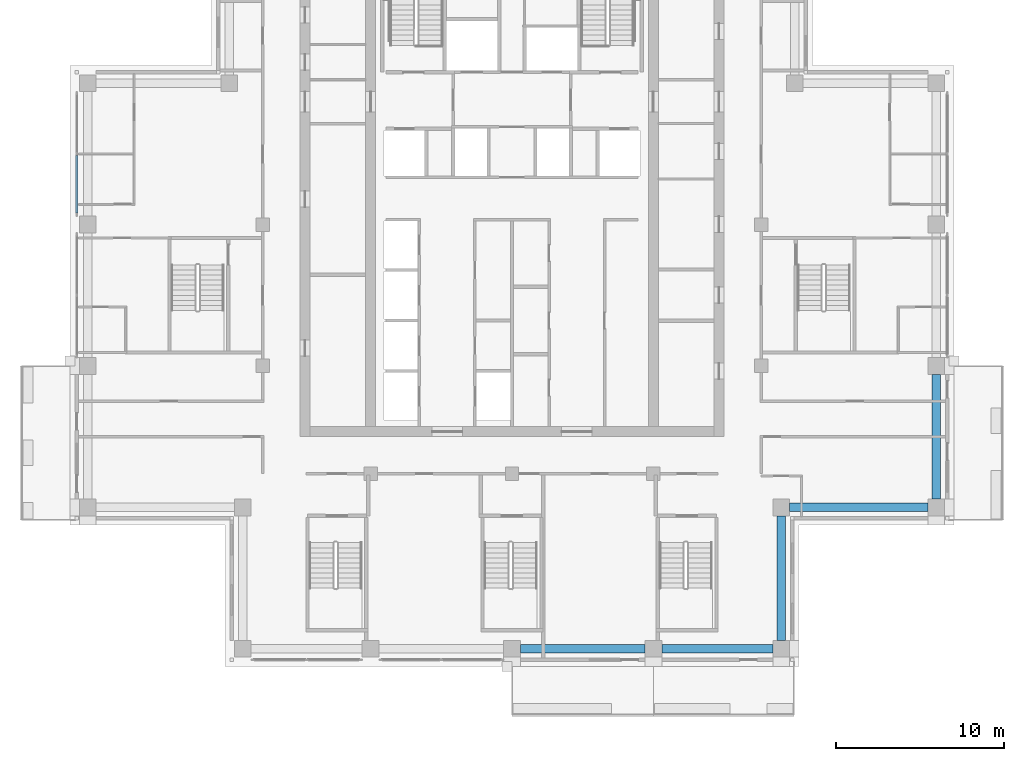
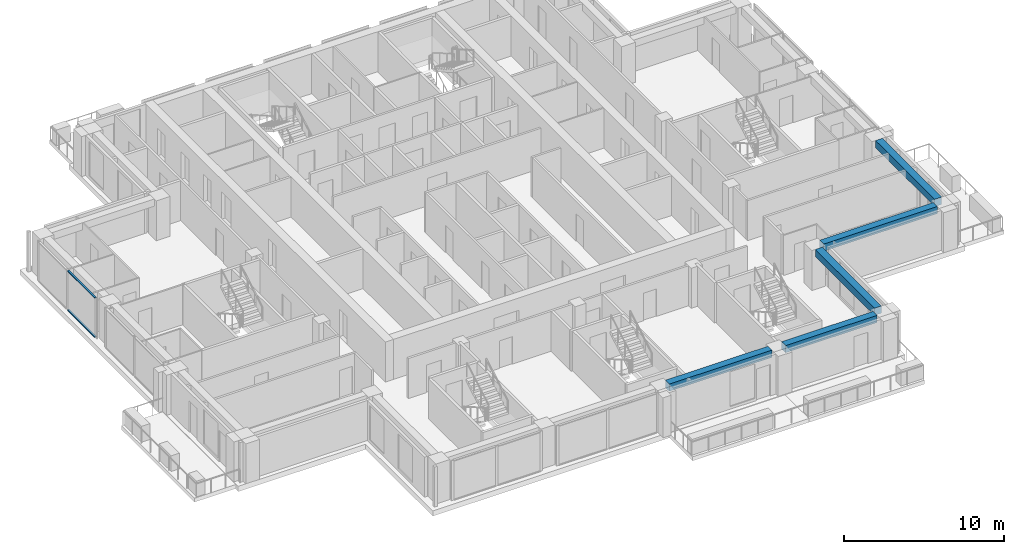
# One storey, part 3 of 17: 5 beams, 2 members, 1 element without a shape of its own.
"""IFC4 building model written with IfcOpenShell, lengths in metres."""

from ifc_helpers import new_model, si_unit, direction, frame, origin, origin_2d, place, context, subcontext, project, spatial, rectangle, extrude, material, material_profile, profile_set, type_object, element, aggregate, save


model = new_model("IFC4")

# Units and contexts
model_context = context("Model", 3, precision=1e-05, world=origin(), true_north=direction((0.0, 1.0)))
body_context = subcontext(model_context, "Body", "Model", "MODEL_VIEW")
ifc_project = project(units=[si_unit("LENGTHUNIT", "METRE"), si_unit("AREAUNIT", "SQUARE_METRE"), si_unit("VOLUMEUNIT", "CUBIC_METRE"), si_unit("PLANEANGLEUNIT", "RADIAN"), si_unit("MASSUNIT", "GRAM", prefix="KILO")], contexts=[model_context])

# Site, building, storey
site_placement = place(None, origin())
site = spatial("IfcSite", under=ifc_project, at=site_placement, CompositionType="ELEMENT")
building_placement = place(site_placement, origin())
building = spatial("IfcBuilding", under=site, at=building_placement, Name="Vermilion Ogive Tower", CompositionType="ELEMENT")
storey_placement = place(building_placement, frame((0.0, 0.0, 189.35009765625)))
storey = spatial("IfcBuildingStorey", under=building, at=storey_placement, Name="L49", CompositionType="ELEMENT", Elevation=189.35009765625)

# Curtain wall, members
ifc_material_1 = material(Name="Low-iron laminated glazing in aluminium frame", Category="aluminium")
curtain_wall_type = type_object("IfcCurtainWallType", Name="Curtain wall CW7", PredefinedType="NOTDEFINED", material=ifc_material_1)
curtain_wall_placement = place(storey_placement, origin())
curtain_wall = element("IfcCurtainWall", 1, at=curtain_wall_placement, inside=storey, type_object=curtain_wall_type, Name="Glazed skin W1", PredefinedType="NOTDEFINED")
ifc_material_2 = material(Name="Aluminium transom", Category="aluminium")
ifc_material_profile_1 = material_profile(ifc_material_2, rectangle(XDim=0.139892578125, YDim=0.06005859375, at=origin_2d()), Name="AL 60x140")
ifc_profile_set_1 = profile_set([ifc_material_profile_1], Name="Aluminium transom")
member_type = type_object("IfcMemberType", Name="CW7 transom 60x140", PredefinedType="USERDEFINED", material=ifc_profile_set_1)
member_1_placement = place(storey_placement, frame((-25.85009765625, 8.31005859375, 0.02978515625), z_axis=(0.0, -1.0, 0.0), x_axis=(1.0, 0.0, 0.0)))
member_1 = element("IfcMember", 2, at=member_1_placement, type_object=member_type, Name="CW7-W1 transom 2.1", ObjectType="TRANSOM", PredefinedType="USERDEFINED", context=body_context, shape_type="SweptSolid", body=[
    extrude(rectangle(XDim=0.139892578125, YDim=0.06005859375, at=origin_2d()), origin(), (0.0, 0.0, 1.0), 3.43017578125),
])
member_2_placement = place(storey_placement, frame((-25.85009765625, 8.31005859375, 3.02001953125), z_axis=(0.0, -1.0, 0.0), x_axis=(1.0, 0.0, 0.0)))
member_2 = element("IfcMember", 3, at=member_2_placement, type_object=member_type, Name="CW7-W1 transom 2.2", ObjectType="TRANSOM", PredefinedType="USERDEFINED", context=body_context, shape_type="SweptSolid", body=[
    extrude(rectangle(XDim=0.139892578125, YDim=0.06005859375, at=origin_2d()), origin(), (0.0, 0.0, 1.0), 3.43017578125),
])
aggregate(curtain_wall, [member_1, member_2])

# Beams
ifc_material_3 = material(Name="Concrete B45", Category="concrete")
ifc_material_profile_2 = material_profile(ifc_material_3, rectangle(XDim=0.5, YDim=0.550048828125, at=origin_2d()), Name="500 x 550")
ifc_profile_set_2 = profile_set([ifc_material_profile_2], Name="Concrete B45")
beam_type = type_object("IfcBeamType", Name="Edge beam 500 x 550 B45", PredefinedType="BEAM", material=ifc_profile_set_2)
beam_1_placement = place(storey_placement, frame((0.5, -21.0, 2.77490234375), z_axis=(1.0, 0.0, 0.0), x_axis=(0.0, 1.0, 0.0)))
element("IfcBeam", 4, at=beam_1_placement, inside=storey, type_object=beam_type, Name="L49-EB-3", PredefinedType="BEAM", context=body_context, shape_type="SweptSolid", body=[
    extrude(rectangle(XDim=0.5, YDim=0.550048828125, at=origin_2d()), origin(), (0.0, 0.0, 1.0), 7.39990234375),
])
beam_2_placement = place(storey_placement, frame((8.89990234375, -21.0, 2.77490234375), z_axis=(1.0, 0.0, 0.0), x_axis=(0.0, 1.0, 0.0)))
element("IfcBeam", 5, at=beam_2_placement, inside=storey, type_object=beam_type, Name="L49-EB-4", PredefinedType="BEAM", context=body_context, shape_type="SweptSolid", body=[
    extrude(rectangle(XDim=0.5, YDim=0.550048828125, at=origin_2d()), origin(), (0.0, 0.0, 1.0), 6.60009765625),
])
beam_3_placement = place(storey_placement, frame((16.0, -20.5, 2.77490234375), z_axis=(0.0, 1.0, 0.0), x_axis=(-1.0, 0.0, 0.0)))
element("IfcBeam", 6, at=beam_3_placement, inside=storey, type_object=beam_type, Name="L49-EB-5", PredefinedType="BEAM", context=body_context, shape_type="SweptSolid", body=[
    extrude(rectangle(XDim=0.5, YDim=0.550048828125, at=origin_2d()), origin(), (0.0, 0.0, 1.0), 7.39990234375),
])
beam_4_placement = place(storey_placement, frame((16.5, -12.60009765625, 2.77490234375), z_axis=(1.0, 0.0, 0.0), x_axis=(0.0, 1.0, 0.0)))
element("IfcBeam", 7, at=beam_4_placement, inside=storey, type_object=beam_type, Name="L49-EB-6", PredefinedType="BEAM", context=body_context, shape_type="SweptSolid", body=[
    extrude(rectangle(XDim=0.5, YDim=0.550048828125, at=origin_2d()), origin(), (0.0, 0.0, 1.0), 8.199951171875),
])
beam_5_placement = place(storey_placement, frame((25.199951171875, -12.10009765625, 2.77490234375), z_axis=(0.0, 1.0, 0.0), x_axis=(-1.0, 0.0, 0.0)))
element("IfcBeam", 8, at=beam_5_placement, inside=storey, type_object=beam_type, Name="L49-EB-7", PredefinedType="BEAM", context=body_context, shape_type="SweptSolid", body=[
    extrude(rectangle(XDim=0.5, YDim=0.550048828125, at=origin_2d()), origin(), (0.0, 0.0, 1.0), 7.400146484375),
])

save(model, "model.ifc")
